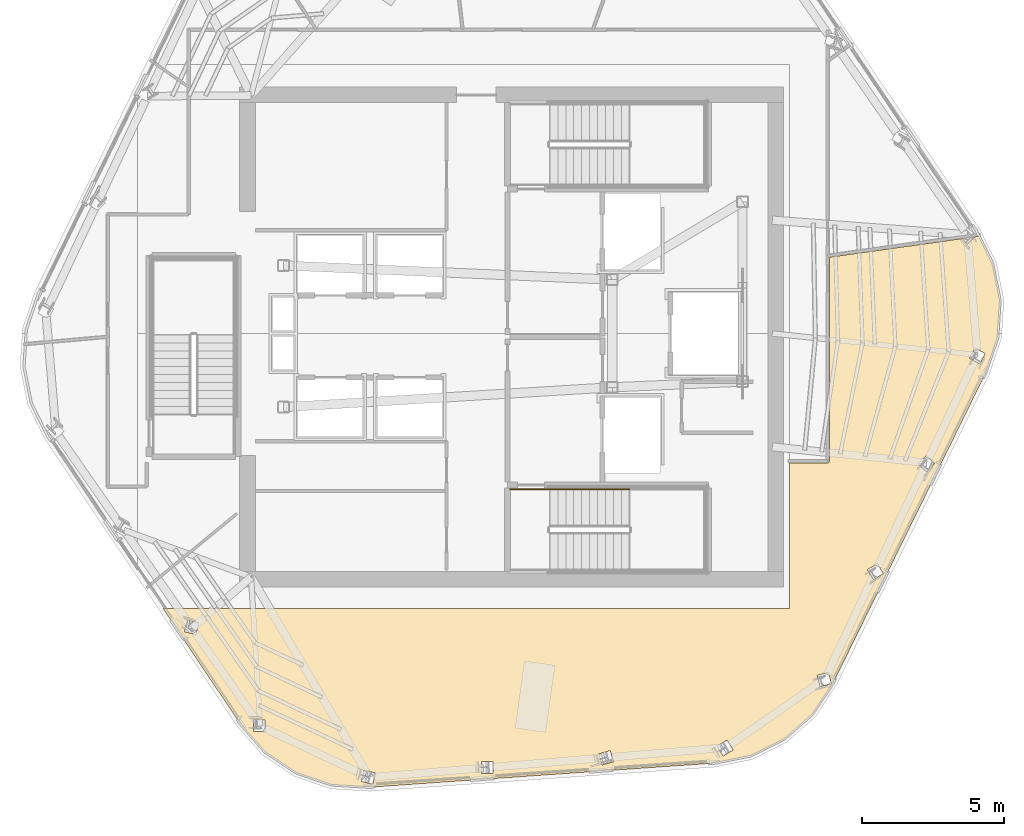
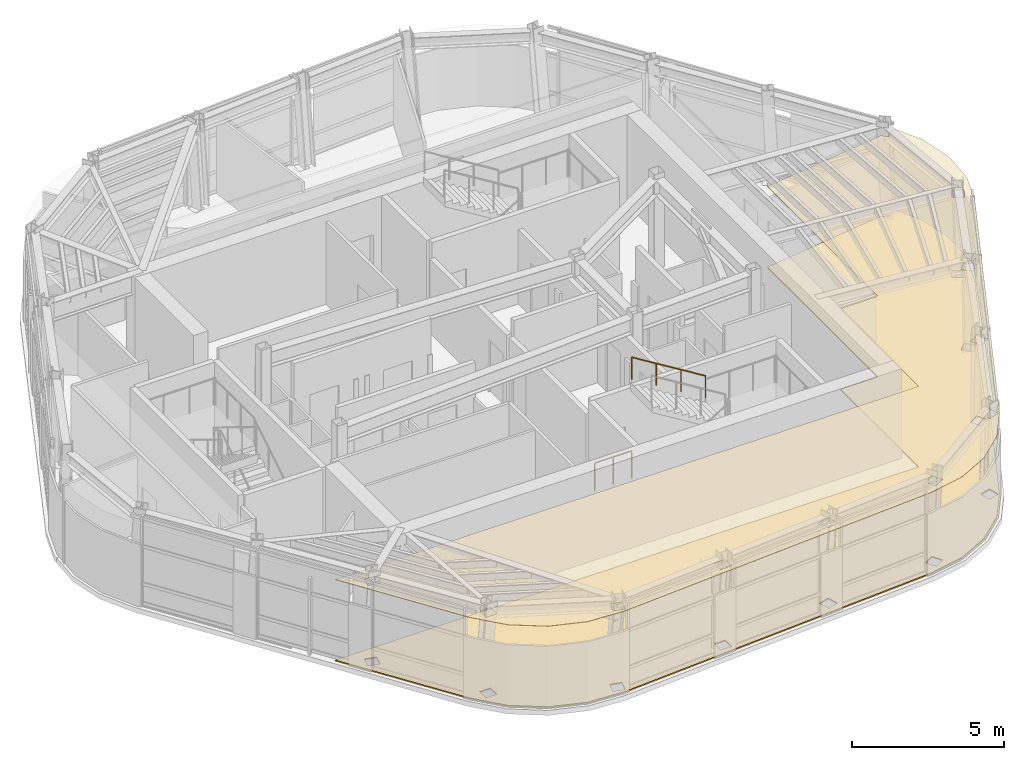
# One storey, part 10 of 14: 2 coverings, 2 railings.
"""IFC4 building model written with IfcOpenShell, lengths in metres."""

from ifc_helpers import new_model, si_unit, direction, frame, origin, origin_2d, place, context, subcontext, project, spatial, polyline, circle, outline, extrude, material, layer, layer_set, type_object, element, save


model = new_model("IFC4")

# Units and contexts
model_context = context("Model", 3, precision=1e-05, world=origin(), true_north=direction((0.0, 1.0)))
body_context = subcontext(model_context, "Body", "Model", "MODEL_VIEW")
ifc_project = project(units=[si_unit("LENGTHUNIT", "METRE"), si_unit("AREAUNIT", "SQUARE_METRE"), si_unit("VOLUMEUNIT", "CUBIC_METRE"), si_unit("PLANEANGLEUNIT", "RADIAN"), si_unit("MASSUNIT", "GRAM", prefix="KILO")], contexts=[model_context])

# Site, building, storey
site_placement = place(None, origin())
site = spatial("IfcSite", under=ifc_project, at=site_placement, CompositionType="ELEMENT")
building_placement = place(site_placement, origin())
building = spatial("IfcBuilding", under=site, at=building_placement, Name="Valkerne Bourse Tower", CompositionType="ELEMENT")
storey_placement = place(building_placement, frame((0.0, 0.0, 300.199951171875)))
storey = spatial("IfcBuildingStorey", under=building, at=storey_placement, Name="L76", CompositionType="ELEMENT", Elevation=300.199951171875)

# Coverings
ifc_material_1 = material(Name="Mineral Fiber Acoustic Ceiling Tile", Category="acoustic")
ifc_layer_1 = layer(ifc_material_1, 0.02490234375)
ifc_layer_set_1 = layer_set([ifc_layer_1], Name="Mineral Fiber Acoustic Ceiling Tile")
covering_type_1 = type_object("IfcCoveringType", Name="COV-CEIL-ACT", PredefinedType="CEILING", material=ifc_layer_set_1)
covering_1_placement = place(storey_placement, frame((0.0, 0.0, 3.25)))
element("IfcCovering", 1, at=covering_1_placement, inside=storey, type_object=covering_type_1, Name="L76 Suspended Ceiling 10", PredefinedType="CEILING", context=body_context, shape_type="SweptSolid", body=[
    extrude(outline(polyline([(63.95068359375, 26.85791015625), (63.52685546875, 25.598388671875), (58.146728515625, 14.661865234375), (57.4111328125, 13.5546875), (56.42138671875, 12.68212890625), (55.239501953125, 12.09521484375), (53.936279296875, 11.83251953125), (41.777587890625, 10.9833984375), (40.451416015625, 11.06689453125), (39.20068359375, 11.48779296875), (38.1015625, 12.218017578125), (37.22265625, 13.215087890625), (34.487548828125, 17.300048828125), (56.60009765625, 17.300048828125), (56.60009765625, 22.430908203125), (57.95361328125, 22.43115234375), (57.99609375, 22.448486328125), (58.018310546875, 22.489990234375), (58.01904296875, 29.693115234375), (62.7060546875, 30.3486328125), (62.89794921875, 30.16162109375), (63.140380859375, 30.409423828125), (63.294921875, 30.430908203125), (63.772705078125, 29.468505859375), (64.03369140625, 28.1748046875), (63.95068359375, 26.85791015625)]), holes=[polyline([(41.98779296875, 11.485595703125), (41.594482421875, 11.5859375), (41.493408203125, 11.189453125), (41.49560546875, 11.188720703125), (41.888916015625, 11.08837890625), (41.989990234375, 11.485107421875), (41.98779296875, 11.485595703125)]), polyline([(46.142333984375, 11.88623046875), (46.14013671875, 11.886474609375), (45.734130859375, 11.8837890625), (45.73681640625, 11.474609375), (45.739013671875, 11.474365234375), (46.14501953125, 11.47705078125), (46.142333984375, 11.88623046875)]), polyline([(38.09765625, 13.36328125), (38.095703125, 13.364501953125), (37.68701171875, 13.3583984375), (37.6923828125, 12.951904296875), (37.6943359375, 12.95068359375), (38.102783203125, 12.956787109375), (38.09765625, 13.36328125)]), polyline([(35.74560546875, 16.770751953125), (35.3486328125, 16.868408203125), (35.250732421875, 16.473876953125), (35.252197265625, 16.47216796875), (35.649169921875, 16.37451171875), (35.7470703125, 16.76904296875), (35.74560546875, 16.770751953125)]), polyline([(50.390380859375, 11.8837890625), (50.276611328125, 12.27685546875), (50.2744140625, 12.276611328125), (49.884521484375, 12.16357421875), (49.998291015625, 11.7705078125), (50.00048828125, 11.770751953125), (50.390380859375, 11.8837890625)]), polyline([(54.615478515625, 12.295654296875), (54.406005859375, 12.647216796875), (54.40380859375, 12.64599609375), (54.05517578125, 12.43798828125), (54.264892578125, 12.086669921875), (54.26708984375, 12.087646484375), (54.615478515625, 12.295654296875)]), polyline([(58.087890625, 14.648193359375), (57.977783203125, 15.039306640625), (57.584228515625, 14.929443359375), (57.58251953125, 14.927734375), (57.69287109375, 14.536376953125), (58.086181640625, 14.646484375), (58.087890625, 14.648193359375)]), polyline([(59.916748046875, 18.523681640625), (59.7109375, 18.87451171875), (59.358154296875, 18.668212890625), (59.35693359375, 18.666259765625), (59.56298828125, 18.315673828125), (59.91552734375, 18.52197265625), (59.916748046875, 18.523681640625)]), polyline([(61.727294921875, 22.409912109375), (61.433837890625, 22.691162109375), (61.150634765625, 22.396728515625), (61.14990234375, 22.394775390625), (61.443359375, 22.11328125), (61.726806640625, 22.40771484375), (61.727294921875, 22.409912109375)]), polyline([(63.517578125, 26.287353515625), (63.517822265625, 26.289794921875), (63.16259765625, 26.48779296875), (62.963134765625, 26.131103515625), (62.962890625, 26.12890625), (63.318115234375, 25.930908203125), (63.517578125, 26.287353515625)])]), origin(), (0.0, 0.0, 1.0), 0.025146484375),
])
ifc_material_2 = material(Name="Galvanised Painted Steel", Category="steel")
ifc_layer_2 = layer(ifc_material_2, 0.044921875)
ifc_layer_set_2 = layer_set([ifc_layer_2], Name="Galvanised Painted Steel")
covering_type_2 = type_object("IfcCoveringType", Name="COV-FLR-RAF", PredefinedType="FLOORING", material=ifc_layer_set_2)
covering_2_placement = place(storey_placement, origin())
element("IfcCovering", 2, at=covering_2_placement, inside=storey, type_object=covering_type_2, Name="L76 Floor Finish 10", PredefinedType="FLOORING", context=body_context, shape_type="SweptSolid", body=[
    extrude(outline(polyline([(63.95068359375, 26.85791015625), (63.52685546875, 25.598388671875), (58.146728515625, 14.661865234375), (57.4111328125, 13.5546875), (56.42138671875, 12.68212890625), (55.239501953125, 12.09521484375), (53.936279296875, 11.83251953125), (41.777587890625, 10.9833984375), (40.451416015625, 11.06689453125), (39.20068359375, 11.48779296875), (38.1015625, 12.218017578125), (37.22265625, 13.215087890625), (34.487548828125, 17.300048828125), (56.60009765625, 17.300048828125), (56.60009765625, 22.430908203125), (57.95361328125, 22.43115234375), (57.99609375, 22.448486328125), (58.018310546875, 22.489990234375), (58.01904296875, 29.693115234375), (62.7060546875, 30.3486328125), (62.89794921875, 30.16162109375), (63.140380859375, 30.409423828125), (63.294921875, 30.430908203125), (63.772705078125, 29.468505859375), (64.03369140625, 28.1748046875), (63.95068359375, 26.85791015625)]), holes=[polyline([(41.98779296875, 11.485595703125), (41.594482421875, 11.5859375), (41.493408203125, 11.189453125), (41.49560546875, 11.188720703125), (41.888916015625, 11.08837890625), (41.989990234375, 11.485107421875), (41.98779296875, 11.485595703125)]), polyline([(46.142333984375, 11.88623046875), (46.14013671875, 11.886474609375), (45.734130859375, 11.8837890625), (45.73681640625, 11.474609375), (45.739013671875, 11.474365234375), (46.14501953125, 11.47705078125), (46.142333984375, 11.88623046875)]), polyline([(38.09765625, 13.36328125), (38.095703125, 13.364501953125), (37.68701171875, 13.3583984375), (37.6923828125, 12.951904296875), (37.6943359375, 12.95068359375), (38.102783203125, 12.956787109375), (38.09765625, 13.36328125)]), polyline([(35.74560546875, 16.770751953125), (35.3486328125, 16.868408203125), (35.250732421875, 16.473876953125), (35.252197265625, 16.47216796875), (35.649169921875, 16.37451171875), (35.7470703125, 16.76904296875), (35.74560546875, 16.770751953125)]), polyline([(50.390380859375, 11.8837890625), (50.276611328125, 12.27685546875), (50.2744140625, 12.276611328125), (49.884521484375, 12.16357421875), (49.998291015625, 11.7705078125), (50.00048828125, 11.770751953125), (50.390380859375, 11.8837890625)]), polyline([(54.615478515625, 12.295654296875), (54.406005859375, 12.647216796875), (54.40380859375, 12.64599609375), (54.05517578125, 12.43798828125), (54.264892578125, 12.086669921875), (54.26708984375, 12.087646484375), (54.615478515625, 12.295654296875)]), polyline([(58.087890625, 14.648193359375), (57.977783203125, 15.039306640625), (57.584228515625, 14.929443359375), (57.58251953125, 14.927734375), (57.69287109375, 14.536376953125), (58.086181640625, 14.646484375), (58.087890625, 14.648193359375)]), polyline([(59.916748046875, 18.523681640625), (59.7109375, 18.87451171875), (59.358154296875, 18.668212890625), (59.35693359375, 18.666259765625), (59.56298828125, 18.315673828125), (59.91552734375, 18.52197265625), (59.916748046875, 18.523681640625)]), polyline([(61.727294921875, 22.409912109375), (61.433837890625, 22.691162109375), (61.150634765625, 22.396728515625), (61.14990234375, 22.394775390625), (61.443359375, 22.11328125), (61.726806640625, 22.40771484375), (61.727294921875, 22.409912109375)]), polyline([(63.517578125, 26.287353515625), (63.517822265625, 26.289794921875), (63.16259765625, 26.48779296875), (62.963134765625, 26.131103515625), (62.962890625, 26.12890625), (63.318115234375, 25.930908203125), (63.517578125, 26.287353515625)])]), origin(), (0.0, 0.0, 1.0), 0.045166015625),
])

# Railings
railing_type_1 = type_object("IfcRailingType", Name="RLG-ST-GUARD-1120", PredefinedType="GUARDRAIL", material=ifc_material_2)
railing_1_placement = place(storey_placement, frame((46.75, 21.5, 0.0)))
element("IfcRailing", 3, at=railing_1_placement, inside=storey, type_object=railing_type_1, Name="L76 ST-1 stair guard 9", PredefinedType="GUARDRAIL", context=body_context, shape_type="SweptSolid", body=[
    extrude(circle(Radius=0.02392578125, at=origin_2d()), frame((0.0, 0.0, 1.09619140625), z_axis=(1.0, 0.0, 0.0), x_axis=(0.0, 1.0, 0.0)), (0.0, 0.0, 1.0), 1.39990234375),
    extrude(circle(Radius=0.02099609375, at=origin_2d()), origin(), (0.0, 0.0, 1.0), 1.072021484375),
    extrude(circle(Radius=0.02099609375, at=origin_2d()), frame((0.699951171875, 0.0, 0.0)), (0.0, 0.0, 1.0), 1.072021484375),
    extrude(circle(Radius=0.02099609375, at=origin_2d()), frame((1.39990234375, 0.0, 0.0)), (0.0, 0.0, 1.0), 1.072021484375),
])
ifc_material_3 = material(Name="Stainless Steel AISI 316", Category="steel")
railing_type_2 = type_object("IfcRailingType", Name="RLG-ST-HANDRAIL-900", PredefinedType="HANDRAIL", material=ifc_material_3)
railing_2_placement = place(storey_placement, frame((50.949951171875, 21.5, 2.24560546875)))
element("IfcRailing", 4, at=railing_2_placement, inside=storey, type_object=railing_type_2, Name="L76 ST-1 stair handrail 2", PredefinedType="HANDRAIL", context=body_context, shape_type="SweptSolid", body=[
    extrude(circle(Radius=0.02392578125, at=origin_2d()), frame((0.0, 0.0, 0.8759765625), z_axis=(-0.851122791225, 0.0, 0.524966660138), x_axis=(0.0, -1.0, 0.0)), (0.0, 0.0, 1.0), 3.289794921875),
    extrude(circle(Radius=0.02099609375, at=origin_2d()), origin(), (0.0, 0.0, 1.0), 0.851806640625),
    extrude(circle(Radius=0.02099609375, at=origin_2d()), frame((-0.933349609375, 0.0, 0.57568359375)), (0.0, 0.0, 1.0), 0.851806640625),
    extrude(circle(Radius=0.02099609375, at=origin_2d()), frame((-1.86669921875, 0.0, 1.1513671875)), (0.0, 0.0, 1.0), 0.851806640625),
    extrude(circle(Radius=0.02099609375, at=origin_2d()), frame((-2.800048828125, 0.0, 1.72705078125)), (0.0, 0.0, 1.0), 0.851806640625),
])

save(model, "model.ifc")
